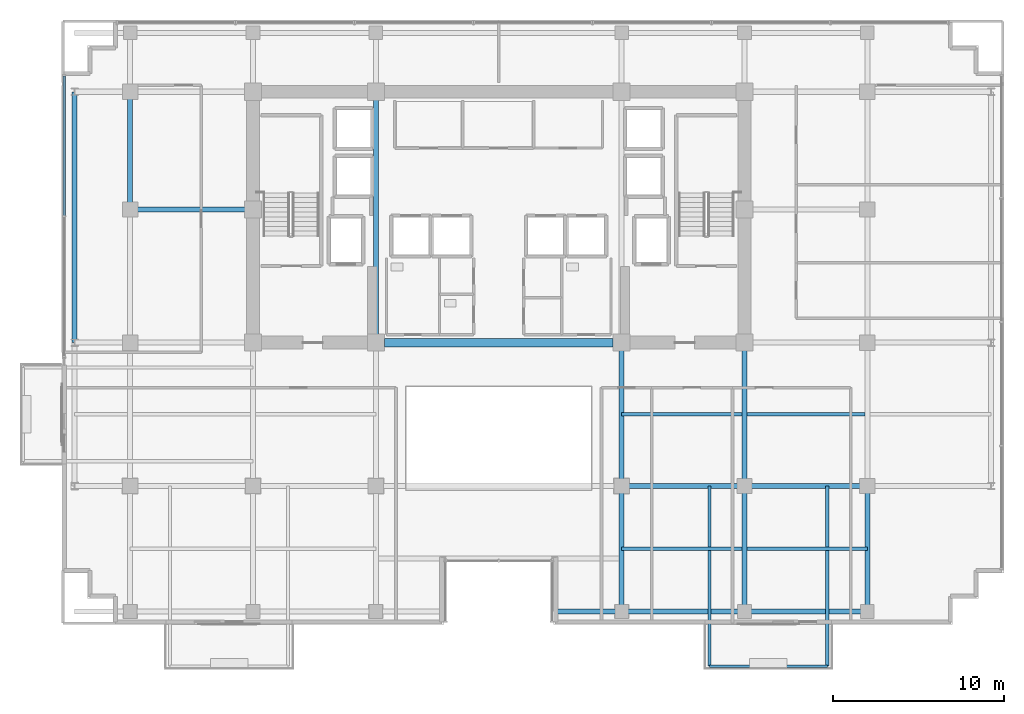
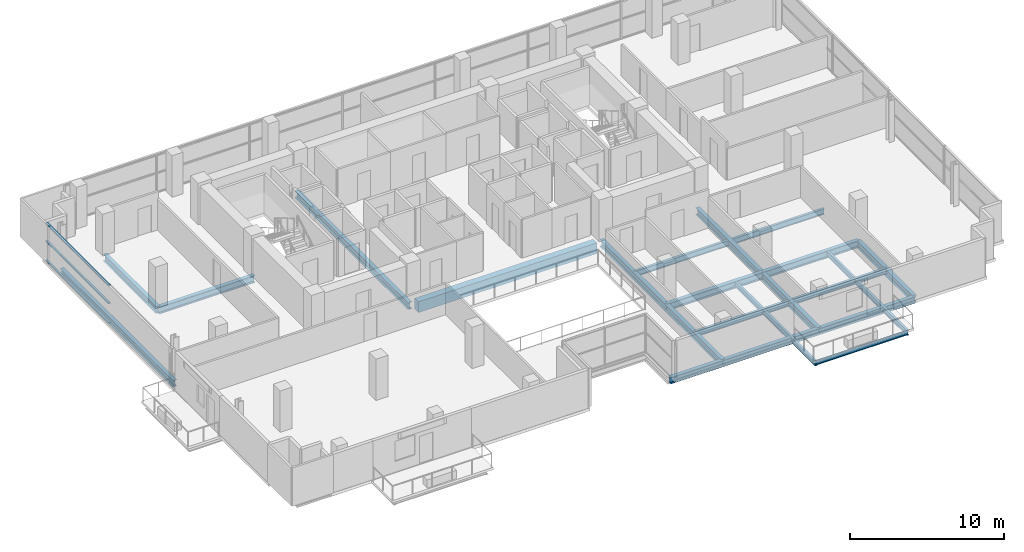
# One storey, part 6 of 22: 22 beams, 3 members, 1 element without a shape of its own.
"""IFC4 building model written with IfcOpenShell, lengths in metres."""

from ifc_helpers import new_model, si_unit, direction, frame, origin, origin_2d, place, context, subcontext, project, spatial, rectangle, hollow_rectangle, i_section, extrude, source, transform, mapped, material, layer, layer_set, material_profile, profile_set, type_object, element, aggregate, save


model = new_model("IFC4")

# Units and contexts
model_context = context("Model", 3, precision=1e-05, world=origin(), true_north=direction((0.0, 1.0)))
body_context = subcontext(model_context, "Body", "Model", "MODEL_VIEW")
ifc_project = project(units=[si_unit("LENGTHUNIT", "METRE"), si_unit("AREAUNIT", "SQUARE_METRE"), si_unit("VOLUMEUNIT", "CUBIC_METRE"), si_unit("PLANEANGLEUNIT", "RADIAN"), si_unit("MASSUNIT", "GRAM", prefix="KILO")], contexts=[model_context])

# Site, building, storey
site_placement = place(None, origin())
site = spatial("IfcSite", under=ifc_project, at=site_placement, CompositionType="ELEMENT")
building_placement = place(site_placement, origin())
building = spatial("IfcBuilding", under=site, at=building_placement, Name="Zarnakvel Exchange Tower", CompositionType="ELEMENT")
storey_placement = place(building_placement, frame((0.0, 0.0, 136.300048828125)))
storey = spatial("IfcBuildingStorey", under=building, at=storey_placement, Name="L38", CompositionType="ELEMENT", Elevation=136.300048828125)

# Beams
ifc_material_1 = material(Name="Steel S355", Category="steel")
ifc_material_profile_1 = material_profile(ifc_material_1, i_section(OverallWidth=0.18994140625, OverallDepth=0.449951171875, WebThickness=0.009521484375, FlangeThickness=0.0146484375, FilletRadius=0.02099609375, at=origin_2d()))
ifc_profile_set_1 = profile_set([ifc_material_profile_1], Name="Steel S355")
beam_type_1 = type_object("IfcBeamType", Name="B-05", PredefinedType="JOIST", material=ifc_profile_set_1)
for number, where, z_axis, x_axis, name in (
    (1, (7.199951171875, -13.27490234375, -0.449951171875), (1.0, 0.0, 0.0), (0.0, 1.0, 0.0), "L38 Composite Floor Secondary Joist"),
    (2, (14.550048828125, -13.27490234375, -0.449951171875), (1.0, 0.0, 0.0), (0.0, 1.0, 0.0), "L38 Composite Floor Secondary Joist"),
    (3, (7.199951171875, -5.39990234375, -0.449951171875), (1.0, 0.0, 0.0), (0.0, 1.0, 0.0), "L38 Composite Floor Secondary Joist"),
):
    element("IfcBeam", number, at=place(storey_placement, frame(where, z_axis=z_axis, x_axis=x_axis)), inside=storey, type_object=beam_type_1, Name=name, PredefinedType="JOIST", context=body_context, shape_type="SweptSolid", body=[
        extrude(i_section(OverallWidth=0.18994140625, OverallDepth=0.449951171875, WebThickness=0.009521484375, FlangeThickness=0.0146484375, FilletRadius=0.02099609375, at=origin_2d()), origin(), (0.0, 0.0, 1.0), 7.050048828125),
    ])
beam_1_placement = place(storey_placement, frame((14.550048828125, -5.39990234375, -0.449951171875), z_axis=(1.0, 0.0, 0.0), x_axis=(0.0, 1.0, 0.0)))
element("IfcBeam", 4, at=beam_1_placement, inside=storey, type_object=beam_type_1, Name="L38 Composite Floor Secondary Joist", PredefinedType="JOIST", context=body_context, shape_type="SweptSolid", body=[
    extrude(i_section(OverallWidth=0.18994140625, OverallDepth=0.449951171875, WebThickness=0.009521484375, FlangeThickness=0.0146484375, FilletRadius=0.02099609375, at=origin_2d()), origin(), (0.0, 0.0, 1.0), 6.89990234375),
])
ifc_material_profile_2 = material_profile(ifc_material_1, i_section(OverallWidth=0.179931640625, OverallDepth=0.39990234375, WebThickness=0.008544921875, FlangeThickness=0.013427734375, FilletRadius=0.02099609375, at=origin_2d()))
ifc_profile_set_2 = profile_set([ifc_material_profile_2], Name="Steel S355")
beam_type_2 = type_object("IfcBeamType", Name="B-06", PredefinedType="JOIST", material=ifc_profile_set_2)
for number, where, z_axis, x_axis, name in (
    (5, (12.35009765625, -9.60009765625, -0.425048828125), (0.0, -1.0, 0.0), (1.0, 0.0, 0.0), "L38 Continuous Back-Spanned Balcony Beam W"),
    (6, (19.25, -9.60009765625, -0.425048828125), (0.0, -1.0, 0.0), (1.0, 0.0, 0.0), "L38 Continuous Back-Spanned Balcony Beam E"),
):
    element("IfcBeam", number, at=place(storey_placement, frame(where, z_axis=z_axis, x_axis=x_axis)), inside=storey, type_object=beam_type_2, Name=name, PredefinedType="JOIST", context=body_context, shape_type="SweptSolid", body=[
        extrude(i_section(OverallWidth=0.179931640625, OverallDepth=0.39990234375, WebThickness=0.008544921875, FlangeThickness=0.013427734375, FilletRadius=0.02099609375, at=origin_2d()), origin(), (0.0, 0.0, 1.0), 10.5498046875),
    ])
ifc_material_profile_3 = material_profile(ifc_material_1, i_section(OverallWidth=0.14990234375, OverallDepth=0.300048828125, WebThickness=0.007080078125, FlangeThickness=0.0107421875, FilletRadius=0.014892578125, at=origin_2d()))
ifc_profile_set_3 = profile_set([ifc_material_profile_3], Name="Steel S355")
beam_type_3 = type_object("IfcBeamType", Name="B-08", PredefinedType="JOIST", material=ifc_profile_set_3)
beam_2_placement = place(storey_placement, frame((12.35009765625, -20.14990234375, -0.375), z_axis=(1.0, 0.0, 0.0), x_axis=(0.0, 1.0, 0.0)))
element("IfcBeam", 7, at=beam_2_placement, inside=storey, type_object=beam_type_3, Name="L38 Balcony Edge Beam", PredefinedType="JOIST", context=body_context, shape_type="SweptSolid", body=[
    extrude(i_section(OverallWidth=0.14990234375, OverallDepth=0.300048828125, WebThickness=0.007080078125, FlangeThickness=0.0107421875, FilletRadius=0.014892578125, at=origin_2d()), origin(), (0.0, 0.0, 1.0), 6.89990234375),
])
ifc_material_2 = material(Name="Concrete C60/75", Category="concrete")
ifc_material_profile_4 = material_profile(ifc_material_2, rectangle(XDim=0.5, YDim=0.85009765625, at=origin_2d()))
ifc_profile_set_4 = profile_set([ifc_material_profile_4], Name="Concrete C60/75")
beam_type_4 = type_object("IfcBeamType", Name="CB-02", PredefinedType="LINTEL", material=ifc_profile_set_4)
beam_3_placement = place(storey_placement, frame((-6.699951171875, -1.199951171875, -0.650146484375), z_axis=(1.0, 0.0, 0.0), x_axis=(0.0, 1.0, 0.0)))
element("IfcBeam", 8, at=beam_3_placement, inside=storey, type_object=beam_type_4, Name="L38 Rear Core South Coupling Beam (CB-02)", PredefinedType="LINTEL", context=body_context, shape_type="SweptSolid", body=[
    extrude(rectangle(XDim=0.5, YDim=0.85009765625, at=origin_2d()), origin(), (0.0, 0.0, 1.0), 13.39990234375),
])
ifc_material_profile_5 = material_profile(ifc_material_1, i_section(OverallWidth=0.300048828125, OverallDepth=0.550048828125, WebThickness=0.014892578125, FlangeThickness=0.029052734375, FilletRadius=0.027099609375, at=origin_2d()))
ifc_profile_set_5 = profile_set([ifc_material_profile_5], Name="Steel S355")
beam_type_5 = type_object("IfcBeamType", Name="G-05", PredefinedType="BEAM", material=ifc_profile_set_5)
beam_4_placement = place(storey_placement, frame((7.199951171875, -9.60009765625, -0.5), z_axis=(1.0, 0.0, 0.0), x_axis=(0.0, 1.0, 0.0)))
element("IfcBeam", 9, at=beam_4_placement, inside=storey, type_object=beam_type_5, Name="L38 Tower E-W Frame Beam", PredefinedType="BEAM", context=body_context, shape_type="SweptSolid", body=[
    extrude(i_section(OverallWidth=0.300048828125, OverallDepth=0.550048828125, WebThickness=0.014892578125, FlangeThickness=0.029052734375, FilletRadius=0.027099609375, at=origin_2d()), origin(), (0.0, 0.0, 1.0), 7.199951171875),
])
for number, where, z_axis, x_axis, name in (
    (10, (14.39990234375, -9.60009765625, -0.5), (1.0, 0.0, 0.0), (0.0, 1.0, 0.0), "L38 Tower E-W Frame Beam"),
    (11, (-21.60009765625, 6.60009765625, -0.5), (1.0, 0.0, 0.0), (0.0, 1.0, 0.0), "L38 Tower E-W Frame Beam"),
):
    element("IfcBeam", number, at=place(storey_placement, frame(where, z_axis=z_axis, x_axis=x_axis)), inside=storey, type_object=beam_type_5, Name=name, PredefinedType="BEAM", context=body_context, shape_type="SweptSolid", body=[
        extrude(i_section(OverallWidth=0.300048828125, OverallDepth=0.550048828125, WebThickness=0.014892578125, FlangeThickness=0.029052734375, FilletRadius=0.027099609375, at=origin_2d()), origin(), (0.0, 0.0, 1.0), 7.2001953125),
    ])
beam_5_placement = place(storey_placement, frame((-21.60009765625, 6.60009765625, -0.5), z_axis=(0.0, 1.0, 0.0), x_axis=(-1.0, 0.0, 0.0)))
element("IfcBeam", 12, at=beam_5_placement, inside=storey, type_object=beam_type_5, Name="L38 Tower N-S Frame Beam", PredefinedType="BEAM", context=body_context, shape_type="SweptSolid", body=[
    extrude(i_section(OverallWidth=0.300048828125, OverallDepth=0.550048828125, WebThickness=0.014892578125, FlangeThickness=0.029052734375, FilletRadius=0.027099609375, at=origin_2d()), origin(), (0.0, 0.0, 1.0), 6.89990234375),
])
beam_6_placement = place(storey_placement, frame((-7.199951171875, -1.199951171875, -0.5), z_axis=(0.0, 1.0, 0.0), x_axis=(-1.0, 0.0, 0.0)))
element("IfcBeam", 13, at=beam_6_placement, inside=storey, type_object=beam_type_5, Name="L38 Tower N-S Frame Beam", PredefinedType="BEAM", context=body_context, shape_type="SweptSolid", body=[
    extrude(i_section(OverallWidth=0.300048828125, OverallDepth=0.550048828125, WebThickness=0.014892578125, FlangeThickness=0.029052734375, FilletRadius=0.027099609375, at=origin_2d()), origin(), (0.0, 0.0, 1.0), 14.699951171875),
])
beam_7_placement = place(storey_placement, frame((7.199951171875, -16.949951171875, -0.5), z_axis=(0.0, 1.0, 0.0), x_axis=(-1.0, 0.0, 0.0)))
element("IfcBeam", 14, at=beam_7_placement, inside=storey, type_object=beam_type_5, Name="L38 Tower N-S Frame Beam", PredefinedType="BEAM", context=body_context, shape_type="SweptSolid", body=[
    extrude(i_section(OverallWidth=0.300048828125, OverallDepth=0.550048828125, WebThickness=0.014892578125, FlangeThickness=0.029052734375, FilletRadius=0.027099609375, at=origin_2d()), origin(), (0.0, 0.0, 1.0), 7.349853515625),
])
beam_8_placement = place(storey_placement, frame((7.199951171875, -9.60009765625, -0.5), z_axis=(0.0, 1.0, 0.0), x_axis=(-1.0, 0.0, 0.0)))
element("IfcBeam", 15, at=beam_8_placement, inside=storey, type_object=beam_type_5, Name="L38 Tower N-S Frame Beam", PredefinedType="BEAM", context=body_context, shape_type="SweptSolid", body=[
    extrude(i_section(OverallWidth=0.300048828125, OverallDepth=0.550048828125, WebThickness=0.014892578125, FlangeThickness=0.029052734375, FilletRadius=0.027099609375, at=origin_2d()), origin(), (0.0, 0.0, 1.0), 8.400146484375),
])
beam_9_placement = place(storey_placement, frame((14.39990234375, -16.949951171875, -0.5), z_axis=(0.0, 1.0, 0.0), x_axis=(-1.0, 0.0, 0.0)))
element("IfcBeam", 16, at=beam_9_placement, inside=storey, type_object=beam_type_5, Name="L38 Tower N-S Frame Beam", PredefinedType="BEAM", context=body_context, shape_type="SweptSolid", body=[
    extrude(i_section(OverallWidth=0.300048828125, OverallDepth=0.550048828125, WebThickness=0.014892578125, FlangeThickness=0.029052734375, FilletRadius=0.027099609375, at=origin_2d()), origin(), (0.0, 0.0, 1.0), 7.349853515625),
])
beam_10_placement = place(storey_placement, frame((14.39990234375, -9.60009765625, -0.5), z_axis=(0.0, 1.0, 0.0), x_axis=(-1.0, 0.0, 0.0)))
element("IfcBeam", 17, at=beam_10_placement, inside=storey, type_object=beam_type_5, Name="L38 Tower N-S Frame Beam", PredefinedType="BEAM", context=body_context, shape_type="SweptSolid", body=[
    extrude(i_section(OverallWidth=0.300048828125, OverallDepth=0.550048828125, WebThickness=0.014892578125, FlangeThickness=0.029052734375, FilletRadius=0.027099609375, at=origin_2d()), origin(), (0.0, 0.0, 1.0), 8.400146484375),
])
beam_11_placement = place(storey_placement, frame((21.60009765625, -16.949951171875, -0.5), z_axis=(0.0, 1.0, 0.0), x_axis=(-1.0, 0.0, 0.0)))
element("IfcBeam", 18, at=beam_11_placement, inside=storey, type_object=beam_type_5, Name="L38 Tower N-S Frame Beam", PredefinedType="BEAM", context=body_context, shape_type="SweptSolid", body=[
    extrude(i_section(OverallWidth=0.300048828125, OverallDepth=0.550048828125, WebThickness=0.014892578125, FlangeThickness=0.029052734375, FilletRadius=0.027099609375, at=origin_2d()), origin(), (0.0, 0.0, 1.0), 7.349853515625),
])
ifc_material_profile_6 = material_profile(ifc_material_1, i_section(OverallWidth=0.300048828125, OverallDepth=0.5, WebThickness=0.014404296875, FlangeThickness=0.028076171875, FilletRadius=0.027099609375, at=origin_2d()))
ifc_profile_set_6 = profile_set([ifc_material_profile_6], Name="Steel S355")
beam_type_6 = type_object("IfcBeamType", Name="SP-02", PredefinedType="SPANDREL", material=ifc_profile_set_6)
beam_12_placement = place(storey_placement, frame((3.199951171875, -16.949951171875, -0.47509765625), z_axis=(1.0, 0.0, 0.0), x_axis=(0.0, 1.0, 0.0)))
element("IfcBeam", 19, at=beam_12_placement, inside=storey, type_object=beam_type_6, Name="L38 South Slot East Jamb Spandrel", PredefinedType="SPANDREL", context=body_context, shape_type="SweptSolid", body=[
    extrude(i_section(OverallWidth=0.300048828125, OverallDepth=0.5, WebThickness=0.014404296875, FlangeThickness=0.028076171875, FilletRadius=0.027099609375, at=origin_2d()), origin(), (0.0, 0.0, 1.0), 4.0),
])
beam_13_placement = place(storey_placement, frame((7.199951171875, -16.949951171875, -0.47509765625), z_axis=(1.0, 0.0, 0.0), x_axis=(0.0, 1.0, 0.0)))
element("IfcBeam", 20, at=beam_13_placement, inside=storey, type_object=beam_type_6, Name="L38 Tower E-W Frame Beam", PredefinedType="SPANDREL", context=body_context, shape_type="SweptSolid", body=[
    extrude(i_section(OverallWidth=0.300048828125, OverallDepth=0.5, WebThickness=0.014404296875, FlangeThickness=0.028076171875, FilletRadius=0.027099609375, at=origin_2d()), origin(), (0.0, 0.0, 1.0), 7.199951171875),
])
beam_14_placement = place(storey_placement, frame((14.39990234375, -16.949951171875, -0.47509765625), z_axis=(1.0, 0.0, 0.0), x_axis=(0.0, 1.0, 0.0)))
element("IfcBeam", 21, at=beam_14_placement, inside=storey, type_object=beam_type_6, Name="L38 Tower E-W Frame Beam", PredefinedType="SPANDREL", context=body_context, shape_type="SweptSolid", body=[
    extrude(i_section(OverallWidth=0.300048828125, OverallDepth=0.5, WebThickness=0.014404296875, FlangeThickness=0.028076171875, FilletRadius=0.027099609375, at=origin_2d()), origin(), (0.0, 0.0, 1.0), 7.2001953125),
])
beam_15_placement = place(storey_placement, frame((-24.85009765625, -1.199951171875, -0.47509765625), z_axis=(0.0, 1.0, 0.0), x_axis=(-1.0, 0.0, 0.0)))
element("IfcBeam", 22, at=beam_15_placement, inside=storey, type_object=beam_type_6, Name="L38 Tower N-S Frame Beam", PredefinedType="SPANDREL", context=body_context, shape_type="SweptSolid", body=[
    extrude(i_section(OverallWidth=0.300048828125, OverallDepth=0.5, WebThickness=0.014404296875, FlangeThickness=0.028076171875, FilletRadius=0.027099609375, at=origin_2d()), origin(), (0.0, 0.0, 1.0), 14.699951171875),
])

# Curtain wall, members
ifc_material_3 = material(Name="Architectural Bronze Anodised Aluminium", Category="aluminium")
ifc_layer = layer(ifc_material_3, 0.199951171875)
ifc_layer_set = layer_set([ifc_layer], Name="Architectural Bronze Anodised Aluminium")
curtain_wall_type = type_object("IfcCurtainWallType", Name="CW-04", PredefinedType="NOTDEFINED", material=ifc_layer_set)
curtain_wall_placement = place(storey_placement, origin())
curtain_wall = element("IfcCurtainWall", 23, at=curtain_wall_placement, inside=storey, type_object=curtain_wall_type, Name="L38 Curtain Wall CW-L38-WN (CW-04)", PredefinedType="NOTDEFINED")
ifc_material_profile_7 = material_profile(ifc_material_3, hollow_rectangle(XDim=0.159912109375, YDim=0.074951171875, WallThickness=0.00390625, at=origin_2d()))
ifc_profile_set_7 = profile_set([ifc_material_profile_7], Name="Architectural Bronze Anodised Aluminium")
member_type = type_object("IfcMemberType", Name="CWT-04", PredefinedType="USERDEFINED", material=ifc_profile_set_7)
shared_shape = source(origin(), body_context, "Body", "SweptSolid", [
    extrude(hollow_rectangle(XDim=0.159912109375, YDim=0.074951171875, WallThickness=0.00390625, at=origin_2d()), origin(), (0.0, 0.0, 1.0), 8.1875),
])
member_1_placement = place(storey_placement, frame((-25.4599609375, 6.237548828125, 0.037353515625), z_axis=(0.0, 1.0, 0.0), x_axis=(-1.0, 0.0, 0.0)))
member_1 = element("IfcMember", 24, at=member_1_placement, type_object=member_type, Name="CW-04 transom 2.1", ObjectType="TRANSOM", PredefinedType="USERDEFINED", context=body_context, shape_type="MappedRepresentation", body=[
    mapped(shared_shape, transform((0.0, 0.0, 0.0), x_axis=(1.0, 0.0, 0.0), y_axis=(0.0, 1.0, 0.0), z_axis=(0.0, 0.0, 1.0), scale=1.0)),
])
member_2_placement = place(storey_placement, frame((-25.4599609375, 6.237548828125, 1.575439453125), z_axis=(0.0, 1.0, 0.0), x_axis=(-1.0, 0.0, 0.0)))
member_2 = element("IfcMember", 25, at=member_2_placement, type_object=member_type, Name="CW-04 transom 2.2", ObjectType="TRANSOM", PredefinedType="USERDEFINED", context=body_context, shape_type="MappedRepresentation", body=[
    mapped(shared_shape, transform((0.0, 0.0, 0.0), x_axis=(1.0, 0.0, 0.0), y_axis=(0.0, 1.0, 0.0), z_axis=(0.0, 0.0, 1.0), scale=1.0)),
])
member_3_placement = place(storey_placement, frame((-25.4599609375, 6.237548828125, 2.992431640625), z_axis=(0.0, 1.0, 0.0), x_axis=(-1.0, 0.0, 0.0)))
member_3 = element("IfcMember", 26, at=member_3_placement, type_object=member_type, Name="CW-04 transom 2.3", ObjectType="TRANSOM", PredefinedType="USERDEFINED", context=body_context, shape_type="MappedRepresentation", body=[
    mapped(shared_shape, transform((0.0, 0.0, 0.0), x_axis=(1.0, 0.0, 0.0), y_axis=(0.0, 1.0, 0.0), z_axis=(0.0, 0.0, 1.0), scale=1.0)),
])
aggregate(curtain_wall, [member_1, member_2, member_3])

save(model, "model.ifc")
